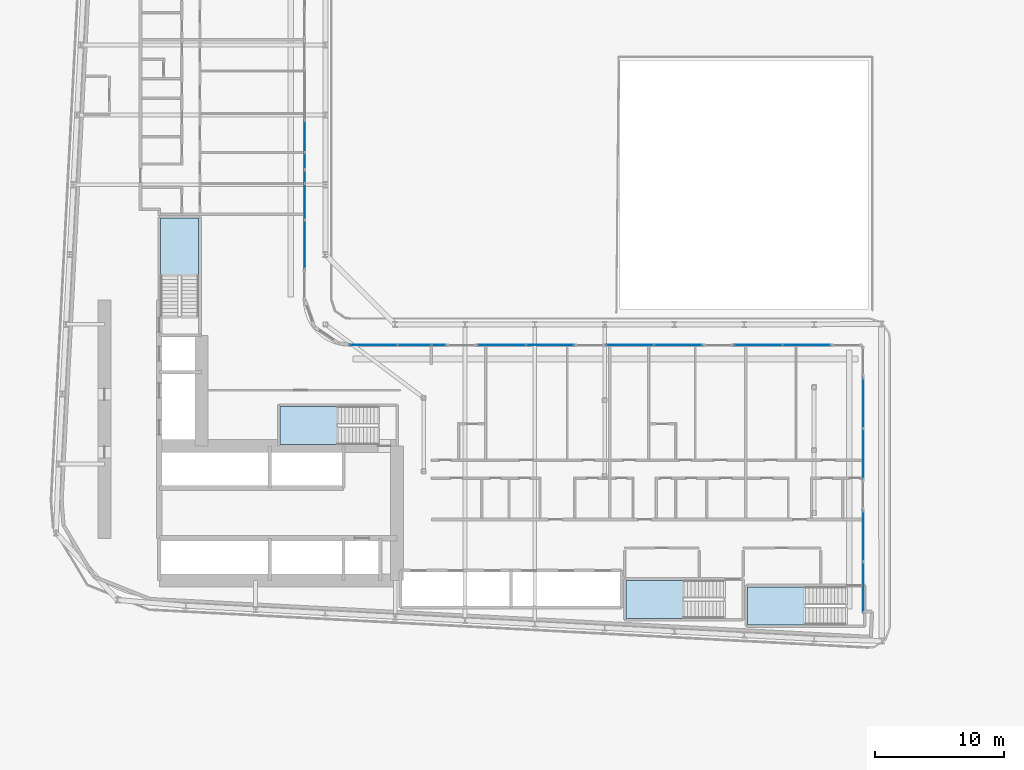
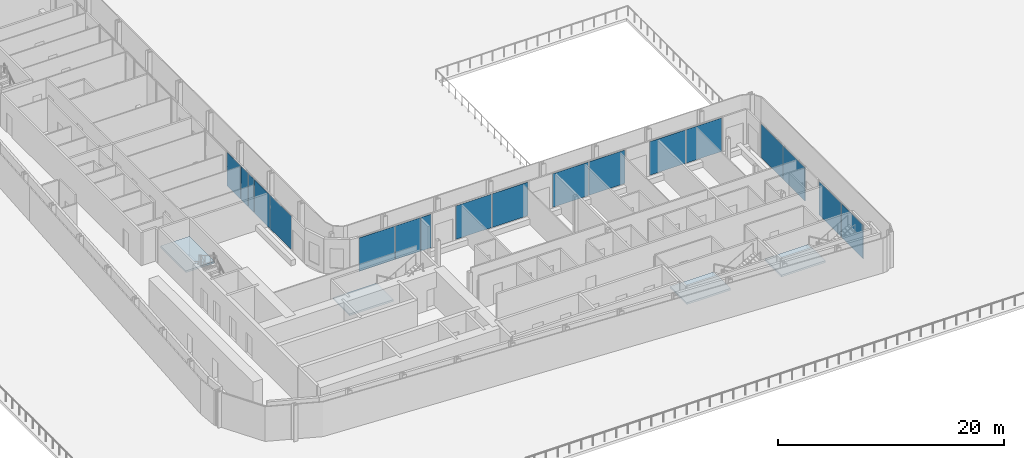
# One storey, part 9 of 27: 18 plates, 4 slabs, 12 elements without a shape of their own.
"""IFC4 building model written with IfcOpenShell, lengths in metres."""

from ifc_helpers import new_model, si_unit, direction, frame, origin, origin_2d, place, context, subcontext, project, spatial, polyline, rectangle, outline, extrude, material, layer, layer_set, type_object, element, aggregate, save


model = new_model("IFC4")

# Units and contexts
model_context = context("Model", 3, precision=1e-05, world=origin(), true_north=direction((0.0, 1.0)))
body_context = subcontext(model_context, "Body", "Model", "MODEL_VIEW")
ifc_project = project(units=[si_unit("LENGTHUNIT", "METRE"), si_unit("AREAUNIT", "SQUARE_METRE"), si_unit("VOLUMEUNIT", "CUBIC_METRE"), si_unit("PLANEANGLEUNIT", "RADIAN"), si_unit("MASSUNIT", "GRAM", prefix="KILO")], contexts=[model_context])

# Site, building, storey
site_placement = place(None, origin())
site = spatial("IfcSite", under=ifc_project, at=site_placement, CompositionType="ELEMENT")
building_placement = place(site_placement, origin())
building = spatial("IfcBuilding", under=site, at=building_placement, Name="Kheshtan School and Residences Tower", CompositionType="ELEMENT")
storey_placement = place(building_placement, frame((0.0, 0.0, 30.5)))
storey = spatial("IfcBuildingStorey", under=building, at=storey_placement, Name="L06", CompositionType="ELEMENT", Elevation=30.5)

# Curtain wall, plates
ifc_material_1 = material(Name="Clear low-e glass in thermally broken aluminium frame", Category="aluminium")
ifc_layer_1 = layer(ifc_material_1, 0.199951171875)
ifc_layer_set_1 = layer_set([ifc_layer_1], Name="Curtain wall CW-L")
curtain_wall_type = type_object("IfcCurtainWallType", Name="Curtain wall CW-L", PredefinedType="NOTDEFINED", material=ifc_layer_set_1)
curtain_wall_1_placement = place(storey_placement, origin())
curtain_wall_1 = element("IfcCurtainWall", 1, at=curtain_wall_1_placement, inside=storey, type_object=curtain_wall_type, Name="Curtain wall CWL8c", PredefinedType="NOTDEFINED")
ifc_layer_2 = layer(ifc_material_1, 0.031982421875)
ifc_layer_set_2 = layer_set([ifc_layer_2], Name="CW-L glass panel")
plate_type = type_object("IfcPlateType", Name="CW-L glass panel", PredefinedType="CURTAIN_PANEL", material=ifc_layer_set_2)
plate_1_placement = place(storey_placement, frame((46.0, 60.135498046875, 0.0), z_axis=(0.0, 0.0, 1.0), x_axis=(0.0, -1.0, 0.0)))
plate_1 = element("IfcPlate", 2, at=plate_1_placement, type_object=plate_type, Name="CWL8c panel 2.1", PredefinedType="CURTAIN_PANEL", context=body_context, shape_type="SweptSolid", body=[
    extrude(rectangle(XDim=2.410888671875, YDim=0.031982421875, at=origin_2d()), origin(), (0.0, 0.0, 1.0), 3.6298828125),
])
plate_2_placement = place(storey_placement, frame((46.0, 58.22705078125, 0.0), z_axis=(0.0, 0.0, 1.0), x_axis=(0.0, -1.0, 0.0)))
plate_2 = element("IfcPlate", 3, at=plate_2_placement, type_object=plate_type, Name="CWL8c panel 3.1", PredefinedType="CURTAIN_PANEL", context=body_context, shape_type="SweptSolid", body=[
    extrude(rectangle(XDim=1.285888671875, YDim=0.031982421875, at=origin_2d()), origin(), (0.0, 0.0, 1.0), 3.6298828125),
])
aggregate(curtain_wall_1, [plate_1, plate_2])

curtain_wall_2_placement = place(storey_placement, origin())
curtain_wall_2 = element("IfcCurtainWall", 4, at=curtain_wall_2_placement, inside=storey, type_object=curtain_wall_type, Name="Curtain wall CWL8c", PredefinedType="NOTDEFINED")
plate_3_placement = place(storey_placement, frame((46.0, 57.027099609375, 0.0), z_axis=(0.0, 0.0, 1.0), x_axis=(0.0, -1.0, 0.0)))
plate_3 = element("IfcPlate", 5, at=plate_3_placement, type_object=plate_type, Name="CWL8c panel 1.1", PredefinedType="CURTAIN_PANEL", context=body_context, shape_type="SweptSolid", body=[
    extrude(rectangle(XDim=0.993896484375, YDim=0.031982421875, at=origin_2d()), origin(), (0.0, 0.0, 1.0), 3.6298828125),
])
plate_4_placement = place(storey_placement, frame((46.0, 55.08837890625, 0.0), z_axis=(0.0, 0.0, 1.0), x_axis=(0.0, -1.0, 0.0)))
plate_4 = element("IfcPlate", 6, at=plate_4_placement, type_object=plate_type, Name="CWL8c panel 2.1", PredefinedType="CURTAIN_PANEL", context=body_context, shape_type="SweptSolid", body=[
    extrude(rectangle(XDim=2.762939453125, YDim=0.031982421875, at=origin_2d()), origin(), (0.0, 0.0, 1.0), 3.6298828125),
])
plate_5_placement = place(storey_placement, frame((46.0, 51.7685546875, 0.0), z_axis=(0.0, 0.0, 1.0), x_axis=(0.0, -1.0, 0.0)))
plate_5 = element("IfcPlate", 7, at=plate_5_placement, type_object=plate_type, Name="CWL8c panel 3.1", PredefinedType="CURTAIN_PANEL", context=body_context, shape_type="SweptSolid", body=[
    extrude(rectangle(XDim=3.757080078125, YDim=0.031982421875, at=origin_2d()), origin(), (0.0, 0.0, 1.0), 3.6298828125),
])
aggregate(curtain_wall_2, [plate_3, plate_4, plate_5])

curtain_wall_3_placement = place(storey_placement, origin())
curtain_wall_3 = element("IfcCurtainWall", 8, at=curtain_wall_3_placement, inside=storey, type_object=curtain_wall_type, Name="Curtain wall CWL12", PredefinedType="NOTDEFINED")
plate_6_placement = place(storey_placement, frame((51.324462890625, 44.0, 0.0), z_axis=(0.0, 0.0, 1.0), x_axis=(1.0, 0.0, 0.0)))
plate_6 = element("IfcPlate", 9, at=plate_6_placement, type_object=plate_type, Name="CWL12 panel 1.1", PredefinedType="CURTAIN_PANEL", context=body_context, shape_type="SweptSolid", body=[
    extrude(rectangle(XDim=3.668701171875, YDim=0.031982421875, at=origin_2d()), origin(), (0.0, 0.0, 1.0), 3.6298828125),
])
plate_7_placement = place(storey_placement, frame((54.494384765625, 44.0, 0.0), z_axis=(0.0, 0.0, 1.0), x_axis=(1.0, 0.0, 0.0)))
plate_7 = element("IfcPlate", 10, at=plate_7_placement, type_object=plate_type, Name="CWL12 panel 2.1", PredefinedType="CURTAIN_PANEL", context=body_context, shape_type="SweptSolid", body=[
    extrude(rectangle(XDim=2.55126953125, YDim=0.031982421875, at=origin_2d()), origin(), (0.0, 0.0, 1.0), 3.6298828125),
])
plate_8_placement = place(storey_placement, frame((56.358642578125, 44.0, 0.0), z_axis=(0.0, 0.0, 1.0), x_axis=(1.0, 0.0, 0.0)))
plate_8 = element("IfcPlate", 11, at=plate_8_placement, type_object=plate_type, Name="CWL12 panel 3.1", PredefinedType="CURTAIN_PANEL", context=body_context, shape_type="SweptSolid", body=[
    extrude(rectangle(XDim=1.0576171875, YDim=0.031982421875, at=origin_2d()), origin(), (0.0, 0.0, 1.0), 3.6298828125),
])
aggregate(curtain_wall_3, [plate_6, plate_7, plate_8])

curtain_wall_4_placement = place(storey_placement, origin())
curtain_wall_4 = element("IfcCurtainWall", 12, at=curtain_wall_4_placement, inside=storey, type_object=curtain_wall_type, Name="Curtain wall CWL12a", PredefinedType="NOTDEFINED")
plate_9_placement = place(storey_placement, frame((61.241943359375, 44.0, 0.0), z_axis=(0.0, 0.0, 1.0), x_axis=(1.0, 0.0, 0.0)))
plate_9 = element("IfcPlate", 13, at=plate_9_placement, type_object=plate_type, Name="CWL12a panel 1.1", PredefinedType="CURTAIN_PANEL", context=body_context, shape_type="SweptSolid", body=[
    extrude(rectangle(XDim=3.668701171875, YDim=0.031982421875, at=origin_2d()), origin(), (0.0, 0.0, 1.0), 3.6298828125),
])
plate_10_placement = place(storey_placement, frame((64.970703125, 44.0, 0.0), z_axis=(0.0, 0.0, 1.0), x_axis=(1.0, 0.0, 0.0)))
plate_10 = element("IfcPlate", 14, at=plate_10_placement, type_object=plate_type, Name="CWL12a panel 2.1", PredefinedType="CURTAIN_PANEL", context=body_context, shape_type="SweptSolid", body=[
    extrude(rectangle(XDim=3.668701171875, YDim=0.031982421875, at=origin_2d()), origin(), (0.0, 0.0, 1.0), 3.6298828125),
])
aggregate(curtain_wall_4, [plate_9, plate_10])

curtain_wall_5_placement = place(storey_placement, origin())
curtain_wall_5 = element("IfcCurtainWall", 15, at=curtain_wall_5_placement, inside=storey, type_object=curtain_wall_type, Name="Curtain wall CWL12a", PredefinedType="NOTDEFINED")
plate_11_placement = place(storey_placement, frame((71.159423828125, 44.0, 0.0), z_axis=(0.0, 0.0, 1.0), x_axis=(1.0, 0.0, 0.0)))
plate_11 = element("IfcPlate", 16, at=plate_11_placement, type_object=plate_type, Name="CWL12a panel 1.1", PredefinedType="CURTAIN_PANEL", context=body_context, shape_type="SweptSolid", body=[
    extrude(rectangle(XDim=3.668701171875, YDim=0.031982421875, at=origin_2d()), origin(), (0.0, 0.0, 1.0), 3.6298828125),
])
plate_12_placement = place(storey_placement, frame((74.88818359375, 44.0, 0.0), z_axis=(0.0, 0.0, 1.0), x_axis=(1.0, 0.0, 0.0)))
plate_12 = element("IfcPlate", 17, at=plate_12_placement, type_object=plate_type, Name="CWL12a panel 2.1", PredefinedType="CURTAIN_PANEL", context=body_context, shape_type="SweptSolid", body=[
    extrude(rectangle(XDim=3.668701171875, YDim=0.031982421875, at=origin_2d()), origin(), (0.0, 0.0, 1.0), 3.6298828125),
])
aggregate(curtain_wall_5, [plate_11, plate_12])

curtain_wall_6_placement = place(storey_placement, origin())
curtain_wall_6 = element("IfcCurtainWall", 18, at=curtain_wall_6_placement, inside=storey, type_object=curtain_wall_type, Name="Curtain wall CWL12a", PredefinedType="NOTDEFINED")
plate_13_placement = place(storey_placement, frame((81.076904296875, 44.0, 0.0), z_axis=(0.0, 0.0, 1.0), x_axis=(1.0, 0.0, 0.0)))
plate_13 = element("IfcPlate", 19, at=plate_13_placement, type_object=plate_type, Name="CWL12a panel 1.1", PredefinedType="CURTAIN_PANEL", context=body_context, shape_type="SweptSolid", body=[
    extrude(rectangle(XDim=3.668701171875, YDim=0.031982421875, at=origin_2d()), origin(), (0.0, 0.0, 1.0), 3.6298828125),
])
plate_14_placement = place(storey_placement, frame((84.8056640625, 44.0, 0.0), z_axis=(0.0, 0.0, 1.0), x_axis=(1.0, 0.0, 0.0)))
plate_14 = element("IfcPlate", 20, at=plate_14_placement, type_object=plate_type, Name="CWL12a panel 2.1", PredefinedType="CURTAIN_PANEL", context=body_context, shape_type="SweptSolid", body=[
    extrude(rectangle(XDim=3.668701171875, YDim=0.031982421875, at=origin_2d()), origin(), (0.0, 0.0, 1.0), 3.6298828125),
])
aggregate(curtain_wall_6, [plate_13, plate_14])

curtain_wall_7_placement = place(storey_placement, origin())
curtain_wall_7 = element("IfcCurtainWall", 21, at=curtain_wall_7_placement, inside=storey, type_object=curtain_wall_type, Name="Curtain wall CWL13", PredefinedType="NOTDEFINED")
plate_15_placement = place(storey_placement, frame((89.199951171875, 39.5078125, 0.0), z_axis=(0.0, 0.0, 1.0), x_axis=(0.0, -1.0, 0.0)))
plate_15 = element("IfcPlate", 22, at=plate_15_placement, type_object=plate_type, Name="CWL13 panel 1.1", PredefinedType="CURTAIN_PANEL", context=body_context, shape_type="SweptSolid", body=[
    extrude(rectangle(XDim=3.8642578125, YDim=0.031982421875, at=origin_2d()), origin(), (0.0, 0.0, 1.0), 3.6298828125),
])
plate_16_placement = place(storey_placement, frame((89.199951171875, 35.583740234375, 0.0), z_axis=(0.0, 0.0, 1.0), x_axis=(0.0, -1.0, 0.0)))
plate_16 = element("IfcPlate", 23, at=plate_16_placement, type_object=plate_type, Name="CWL13 panel 2.1", PredefinedType="CURTAIN_PANEL", context=body_context, shape_type="SweptSolid", body=[
    extrude(rectangle(XDim=3.8642578125, YDim=0.031982421875, at=origin_2d()), origin(), (0.0, 0.0, 1.0), 3.6298828125),
])
aggregate(curtain_wall_7, [plate_15, plate_16])

curtain_wall_8_placement = place(storey_placement, origin())
curtain_wall_8 = element("IfcCurtainWall", 24, at=curtain_wall_8_placement, inside=storey, type_object=curtain_wall_type, Name="Curtain wall CWL13", PredefinedType="NOTDEFINED")
plate_17_placement = place(storey_placement, frame((89.199951171875, 29.199462890625, 0.0), z_axis=(0.0, 0.0, 1.0), x_axis=(0.0, -1.0, 0.0)))
plate_17 = element("IfcPlate", 25, at=plate_17_placement, type_object=plate_type, Name="CWL13 panel 1.1", PredefinedType="CURTAIN_PANEL", context=body_context, shape_type="SweptSolid", body=[
    extrude(rectangle(XDim=3.8642578125, YDim=0.031982421875, at=origin_2d()), origin(), (0.0, 0.0, 1.0), 3.6298828125),
])
plate_18_placement = place(storey_placement, frame((89.199951171875, 25.275146484375, 0.0), z_axis=(0.0, 0.0, 1.0), x_axis=(0.0, -1.0, 0.0)))
plate_18 = element("IfcPlate", 26, at=plate_18_placement, type_object=plate_type, Name="CWL13 panel 2.1", PredefinedType="CURTAIN_PANEL", context=body_context, shape_type="SweptSolid", body=[
    extrude(rectangle(XDim=3.8642578125, YDim=0.031982421875, at=origin_2d()), origin(), (0.0, 0.0, 1.0), 3.6298828125),
])
aggregate(curtain_wall_8, [plate_17, plate_18])

# Stair, slab
ifc_material_2 = material(Name="Concrete C40/50", Category="concrete")
stair_type = type_object("IfcStairType", Name="Exit stair, half-turn", PredefinedType="HALF_TURN_STAIR", material=ifc_material_2)
stair_1_placement = place(storey_placement, origin())
stair_1 = element("IfcStair", 27, at=stair_1_placement, inside=storey, type_object=stair_type, Name="L06 Protected Exit Stair ST1", PredefinedType="HALF_TURN_STAIR")
ifc_layer_3 = layer(ifc_material_2, 0.199951171875)
ifc_layer_set_3 = layer_set([ifc_layer_3], Name="Stair landing 200 Concrete C40/50")
slab_type = type_object("IfcSlabType", Name="Stair landing 200 Concrete C40/50", PredefinedType="LANDING", material=ifc_layer_set_3)
slab_1_placement = place(storey_placement, frame((0.0, 0.0, 1.75)))
slab_1 = element("IfcSlab", 28, at=slab_1_placement, type_object=slab_type, Name="ST1 landing 1", PredefinedType="LANDING", context=body_context, shape_type="SweptSolid", body=[
    extrude(outline(polyline([(48.570068359375, 39.25), (44.090087890625, 39.25), (44.090087890625, 36.300048828125), (48.570068359375, 36.300048828125), (48.570068359375, 39.25)])), origin(), (0.0, 0.0, 1.0), 0.199951171875),
])
aggregate(stair_1, [slab_1])

stair_2_placement = place(storey_placement, origin())
stair_2 = element("IfcStair", 29, at=stair_2_placement, inside=storey, type_object=stair_type, Name="L06 Protected Exit Stair ST2", PredefinedType="HALF_TURN_STAIR")
slab_2_placement = place(storey_placement, frame((0.0, 0.0, 1.75)))
slab_2 = element("IfcSlab", 30, at=slab_2_placement, type_object=slab_type, Name="ST2 landing 1", PredefinedType="LANDING", context=body_context, shape_type="SweptSolid", body=[
    extrude(outline(polyline([(37.800048828125, 49.330078125), (37.800048828125, 53.81005859375), (34.85009765625, 53.81005859375), (34.85009765625, 49.330078125), (37.800048828125, 49.330078125)])), origin(), (0.0, 0.0, 1.0), 0.199951171875),
])
aggregate(stair_2, [slab_2])

stair_3_placement = place(storey_placement, origin())
stair_3 = element("IfcStair", 31, at=stair_3_placement, inside=storey, type_object=stair_type, Name="L06 Protected Exit Stair ST4", PredefinedType="HALF_TURN_STAIR")
slab_3_placement = place(storey_placement, frame((0.0, 0.0, 1.75)))
slab_3 = element("IfcSlab", 32, at=slab_3_placement, type_object=slab_type, Name="ST4 landing 1", PredefinedType="LANDING", context=body_context, shape_type="SweptSolid", body=[
    extrude(outline(polyline([(84.739990234375, 25.300048828125), (80.260009765625, 25.300048828125), (80.260009765625, 22.35009765625), (84.739990234375, 22.35009765625), (84.739990234375, 25.300048828125)])), origin(), (0.0, 0.0, 1.0), 0.199951171875),
])
aggregate(stair_3, [slab_3])

stair_4_placement = place(storey_placement, origin())
stair_4 = element("IfcStair", 33, at=stair_4_placement, inside=storey, type_object=stair_type, Name="L06 Protected Exit Stair ST5", PredefinedType="HALF_TURN_STAIR")
slab_4_placement = place(storey_placement, frame((0.0, 0.0, 1.75)))
slab_4 = element("IfcSlab", 34, at=slab_4_placement, type_object=slab_type, Name="ST5 landing 1", PredefinedType="LANDING", context=body_context, shape_type="SweptSolid", body=[
    extrude(outline(polyline([(75.330078125, 25.800048828125), (70.85009765625, 25.800048828125), (70.85009765625, 22.85009765625), (75.330078125, 22.85009765625), (75.330078125, 25.800048828125)])), origin(), (0.0, 0.0, 1.0), 0.199951171875),
])
aggregate(stair_4, [slab_4])

save(model, "model.ifc")
